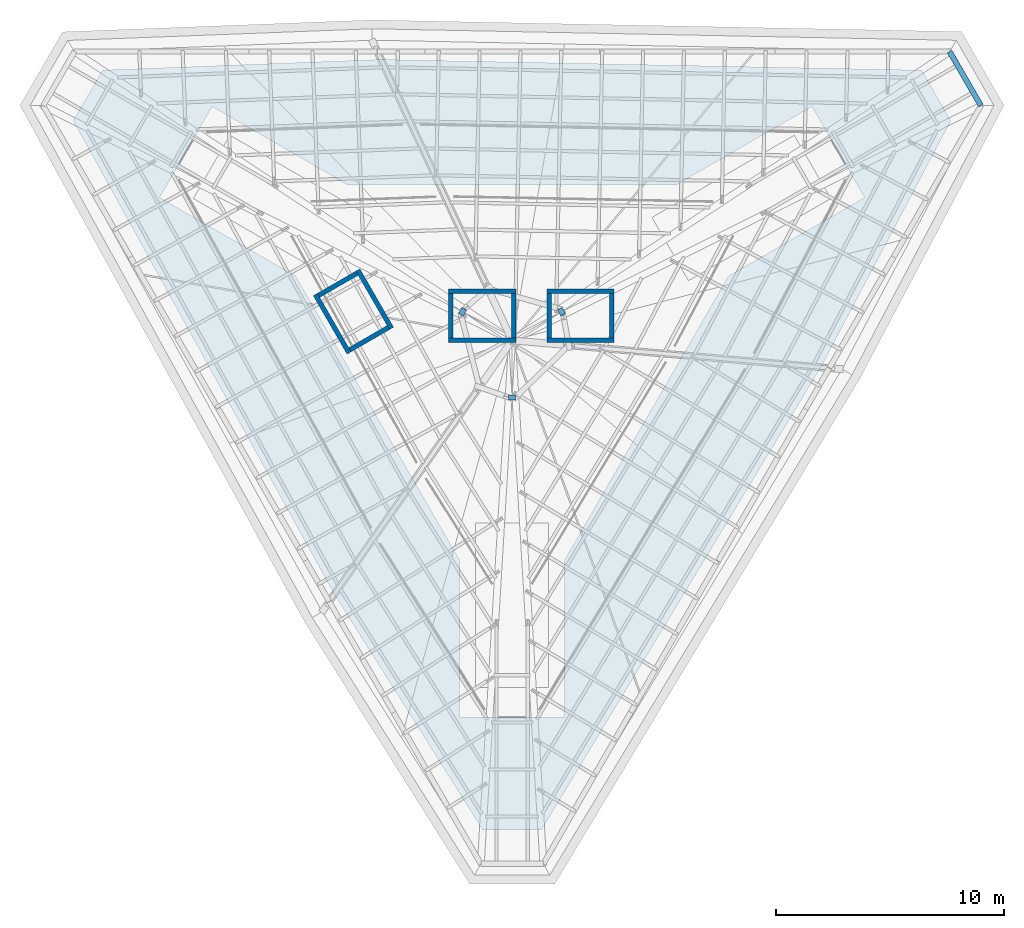
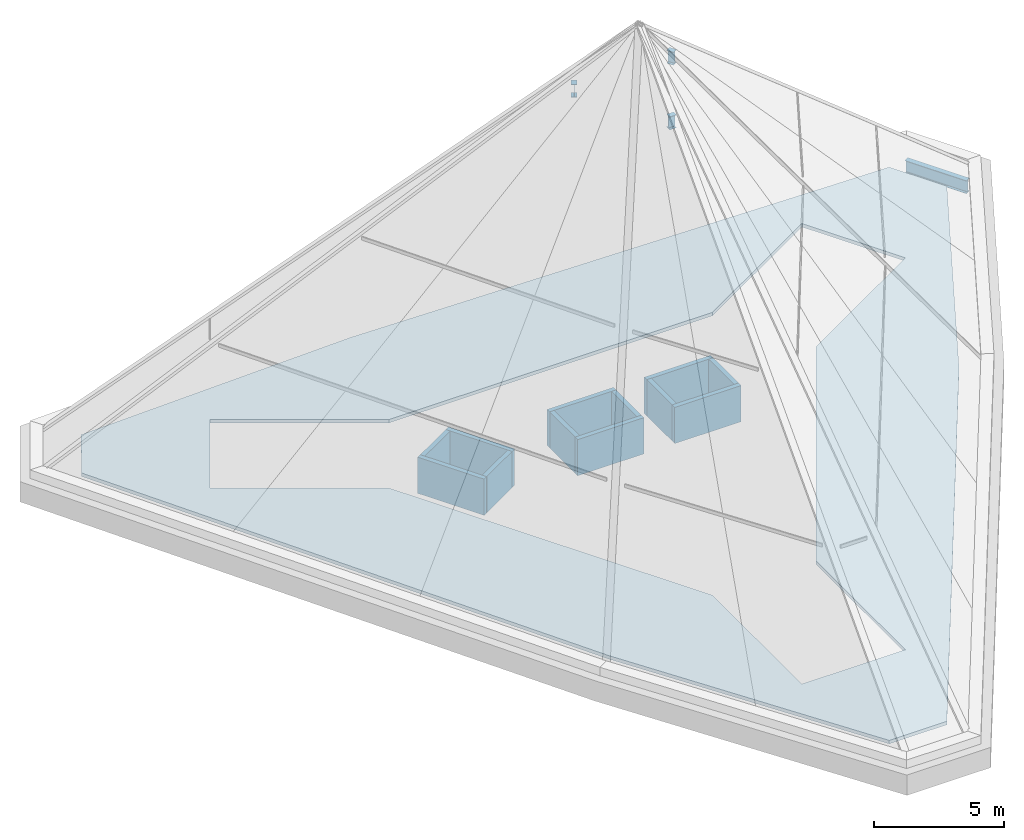
# One storey, part 4 of 6: 12 walls, 3 members, 1 beam, 1 slab.
"""IFC4 building model written with IfcOpenShell, lengths in metres."""

from ifc_helpers import new_model, si_unit, direction, frame, frame_2d, origin, origin_2d, place, context, subcontext, project, spatial, polyline, rectangle, i_section, outline, extrude, material, layer, layer_set, material_profile, profile_set, type_object, element, save


model = new_model("IFC4")

# Units and contexts
model_context = context("Model", 3, precision=1e-05, world=origin(), true_north=direction((0.0, 1.0)))
body_context = subcontext(model_context, "Body", "Model", "MODEL_VIEW")
ifc_project = project(units=[si_unit("LENGTHUNIT", "METRE"), si_unit("AREAUNIT", "SQUARE_METRE"), si_unit("VOLUMEUNIT", "CUBIC_METRE"), si_unit("PLANEANGLEUNIT", "RADIAN"), si_unit("MASSUNIT", "GRAM", prefix="KILO")], contexts=[model_context])

# Site, building, storey
site_placement = place(None, origin())
site = spatial("IfcSite", under=ifc_project, at=site_placement, CompositionType="ELEMENT")
building_placement = place(site_placement, origin())
building = spatial("IfcBuilding", under=site, at=building_placement, Name="Verrane Prism Tower", CompositionType="ELEMENT")
storey_placement = place(building_placement, frame((0.0, 0.0, 333.60009765625)))
storey = spatial("IfcBuildingStorey", under=building, at=storey_placement, Name="Roof", CompositionType="ELEMENT", Elevation=333.60009765625)

# Members
ifc_material_1 = material(Name="Steel A992", Category="steel")
ifc_material_profile_1 = material_profile(ifc_material_1, i_section(OverallWidth=0.228271484375, OverallDepth=0.607177734375, WebThickness=0.01123046875, FlangeThickness=0.017333984375, FilletRadius=0.0126953125, at=origin_2d()), Name="W24x76")
ifc_profile_set_1 = profile_set([ifc_material_profile_1], Name="Steel A992")
member_type = type_object("IfcMemberType", Name="Apex ring W24x76", PredefinedType="MEMBER", material=ifc_profile_set_1)
member_placement = place(storey_placement, frame((-0.14990234375, -2.5, 17.147705078125), z_axis=(0.999935018907, 0.0, -0.011399910639), x_axis=(0.0, 1.0, 0.0)))
element("IfcMember", 1, at=member_placement, inside=storey, type_object=member_type, Name="Apex ring", PredefinedType="MEMBER", context=body_context, shape_type="SweptSolid", body=[
    extrude(i_section(OverallWidth=0.228271484375, OverallDepth=0.607177734375, WebThickness=0.01123046875, FlangeThickness=0.017333984375, FilletRadius=0.0126953125, at=origin_2d()), origin(), (0.0, 0.0, 1.0), 0.2998046875),
])
for number, where, z_axis, x_axis, name in (
    (2, (2.239990234375, 1.1201171875, 17.147705078125), (-0.499779155994, 0.866066811039, -0.012209588501), (-0.866131372301, -0.499816412211, 0.0), "Apex ring"),
    (3, (-2.090087890625, 1.3798828125, 17.147705078125), (-0.499783957439, -0.866075131457, -0.011395725414), (0.866131372301, -0.499816412211, 0.0), "Apex ring"),
):
    element("IfcMember", number, at=place(storey_placement, frame(where, z_axis=z_axis, x_axis=x_axis)), inside=storey, type_object=member_type, Name=name, PredefinedType="MEMBER", context=body_context, shape_type="SweptSolid", body=[
        extrude(i_section(OverallWidth=0.228271484375, OverallDepth=0.607177734375, WebThickness=0.01123046875, FlangeThickness=0.017333984375, FilletRadius=0.0126953125, at=origin_2d()), origin(), (0.0, 0.0, 1.0), 0.300048828125),
    ])

# Beam
ifc_material_2 = material(Name="Steel A992", Category="steel")
ifc_material_profile_2 = material_profile(ifc_material_2, i_section(OverallWidth=0.228271484375, OverallDepth=0.607177734375, WebThickness=0.01123046875, FlangeThickness=0.017333984375, FilletRadius=0.0126953125, at=origin_2d()), Name="W24x76")
ifc_profile_set_2 = profile_set([ifc_material_profile_2], Name="Steel A992")
beam_type = type_object("IfcBeamType", Name="Eave ring beam W24x76", PredefinedType="BEAM", material=ifc_profile_set_2)
beam_placement = place(storey_placement, frame((20.5400390625, 10.280029296875, -0.846923828125), z_axis=(-0.500512299479, 0.865729310591, 0.000445930416), x_axis=(-0.865729396668, -0.500512349243, 0.0)))
element("IfcBeam", 4, at=beam_placement, inside=storey, type_object=beam_type, Name="Eave ring beam", PredefinedType="BEAM", context=body_context, shape_type="SweptSolid", body=[
    extrude(i_section(OverallWidth=0.228271484375, OverallDepth=0.607177734375, WebThickness=0.01123046875, FlangeThickness=0.017333984375, FilletRadius=0.0126953125, at=origin_2d()), origin(), (0.0, 0.0, 1.0), 2.737548828125),
])

# Slab
ifc_material_3 = material(Name="Concrete C35/45", Category="concrete")
ifc_layer_1 = layer(ifc_material_3, 0.159912109375)
ifc_layer_set_1 = layer_set([ifc_layer_1], Name="Crown ceiling slab")
slab_type = type_object("IfcSlabType", Name="Crown ceiling slab", PredefinedType="ROOF", material=ifc_layer_set_1)
slab_placement = place(storey_placement, frame((0.0, 0.0, -0.16015625)))
element("IfcSlab", 5, at=slab_placement, inside=storey, type_object=slab_type, Name="Crown ceiling slab", PredefinedType="ROOF", context=body_context, shape_type="SweptSolid", body=[
    extrude(outline(polyline([(-7.78662109375, -11.12548828125), (-7.78662109375, -11.12548828125), (-19.223388671875, 9.619384765625), (-19.223388671875, 9.619384765625), (-17.9423828125, 11.83837890625), (-17.9423828125, 11.83837890625), (-5.74169921875, 12.306396484375), (-5.741455078125, 12.30615234375), (17.942138671875, 11.83837890625), (17.9423828125, 11.83837890625), (19.223388671875, 9.619384765625), (19.223388671875, 9.619384765625), (13.5283203125, -1.180908203125), (13.5283203125, -1.180908203125), (1.28125, -21.45751953125), (1.28125, -21.457763671875), (-1.28125, -21.457763671875), (-1.28125, -21.457763671875), (-7.78662109375, -11.12548828125)]), holes=[polyline([(15.43994140625, 6.260009765625), (13.139892578125, 10.239990234375), (7.179931640625, 6.800048828125), (0.0, 6.800048828125), (-7.179931640625, 6.800048828125), (-13.139892578125, 10.239990234375), (-15.43994140625, 6.260009765625), (-9.47998046875, 2.820068359375), (-5.889892578125, -3.39990234375), (-2.300048828125, -9.6201171875), (-2.300048828125, -16.5), (2.300048828125, -16.5), (2.300048828125, -9.6201171875), (5.889892578125, -3.39990234375), (9.47998046875, 2.820068359375), (15.43994140625, 6.260009765625)])]), origin(), (0.0, 0.0, 1.0), 0.16015625),
])

# Walls
ifc_material_4 = material(Name="Gypsum board shaft wall assembly", Category="other")
ifc_layer_2 = layer(ifc_material_4, 0.199951171875)
ifc_layer_set_2 = layer_set([ifc_layer_2], Name="HW-200 lift shaft wall 2 h")
wall_type = type_object("IfcWallType", Name="HW-200 lift shaft wall 2 h", PredefinedType="PARTITIONING", material=ifc_layer_set_2)
wall_1_placement = place(storey_placement, frame((-2.784912109375, 0.0, 0.0), z_axis=(0.0, 0.0, 1.0), x_axis=(1.0, 0.0, 0.0)))
element("IfcWall", 6, at=wall_1_placement, inside=storey, type_object=wall_type, Name="Lift shaft wall", PredefinedType="PARTITIONING", context=body_context, shape_type="SweptSolid", body=[
    extrude(rectangle(XDim=2.949951171875, YDim=0.199951171875, at=frame_2d((1.47509765625, 0.0))), origin(), (0.0, 0.0, 1.0), 1.699951171875),
])
wall_2_placement = place(storey_placement, frame((1.52490234375, 0.0, 0.0), z_axis=(0.0, 0.0, 1.0), x_axis=(1.0, 0.0, 0.0)))
element("IfcWall", 7, at=wall_2_placement, inside=storey, type_object=wall_type, Name="Lift shaft wall", PredefinedType="PARTITIONING", context=body_context, shape_type="SweptSolid", body=[
    extrude(rectangle(XDim=2.9501953125, YDim=0.199951171875, at=frame_2d((1.47509765625, 0.0))), origin(), (0.0, 0.0, 1.0), 1.699951171875),
])
wall_3_placement = place(storey_placement, frame((-2.784912109375, 2.14990234375, 0.0), z_axis=(0.0, 0.0, 1.0), x_axis=(1.0, 0.0, 0.0)))
element("IfcWall", 8, at=wall_3_placement, inside=storey, type_object=wall_type, Name="Lift shaft wall", PredefinedType="PARTITIONING", context=body_context, shape_type="SweptSolid", body=[
    extrude(rectangle(XDim=2.949951171875, YDim=0.199951171875, at=frame_2d((1.47509765625, 0.0))), origin(), (0.0, 0.0, 1.0), 1.699951171875),
])
wall_4_placement = place(storey_placement, frame((1.52490234375, 2.14990234375, 0.0), z_axis=(0.0, 0.0, 1.0), x_axis=(1.0, 0.0, 0.0)))
element("IfcWall", 9, at=wall_4_placement, inside=storey, type_object=wall_type, Name="Lift shaft wall", PredefinedType="PARTITIONING", context=body_context, shape_type="SweptSolid", body=[
    extrude(rectangle(XDim=2.9501953125, YDim=0.199951171875, at=frame_2d((1.47509765625, 0.0))), origin(), (0.0, 0.0, 1.0), 1.699951171875),
])
for number, where, z_axis, x_axis, name in (
    (10, (-7.10546875, -0.4130859375, 0.0), (0.0, 0.0, 1.0), (0.866000020948, 0.500043961785, 0.0), "Lift shaft wall"),
    (11, (-8.48046875, 1.968505859375, 0.0), (0.0, 0.0, 1.0), (0.866000020948, 0.500043961785, 0.0), "Lift shaft wall"),
    (12, (4.375, 0.10009765625, 0.0), (0.0, 0.0, 1.0), (0.0, 1.0, 0.0), "Lift shaft wall"),
    (13, (1.625, 0.10009765625, 0.0), (0.0, 0.0, 1.0), (0.0, 1.0, 0.0), "Lift shaft wall"),
    (14, (0.06494140625, 0.10009765625, 0.0), (0.0, 0.0, 1.0), (0.0, 1.0, 0.0), "Lift shaft wall"),
    (15, (-2.68505859375, 0.10009765625, 0.0), (0.0, 0.0, 1.0), (0.0, 1.0, 0.0), "Lift shaft wall"),
):
    element("IfcWall", number, at=place(storey_placement, frame(where, z_axis=z_axis, x_axis=x_axis)), inside=storey, type_object=wall_type, Name=name, PredefinedType="PARTITIONING", context=body_context, shape_type="SweptSolid", body=[
        extrude(rectangle(XDim=1.949951171875, YDim=0.199951171875, at=frame_2d((0.97509765625, 0.0))), origin(), (0.0, 0.0, 1.0), 1.699951171875),
    ])
for number, where, z_axis, x_axis, name in (
    (16, (-5.280029296875, 0.525390625, 0.0), (0.0, 0.0, 1.0), (-0.500037662692, 0.866003658127, 0.0), "Lift shaft wall"),
    (17, (-7.14208984375, -0.549560546875, 0.0), (0.0, 0.0, 1.0), (-0.49997559174, 0.866039495442, 0.0), "Lift shaft wall"),
):
    element("IfcWall", number, at=place(storey_placement, frame(where, z_axis=z_axis, x_axis=x_axis)), inside=storey, type_object=wall_type, Name=name, PredefinedType="PARTITIONING", context=body_context, shape_type="SweptSolid", body=[
        extrude(rectangle(XDim=2.949951171875, YDim=0.199951171875, at=frame_2d((1.47509765625, 0.0))), origin(), (0.0, 0.0, 1.0), 1.699951171875),
    ])

save(model, "model.ifc")
